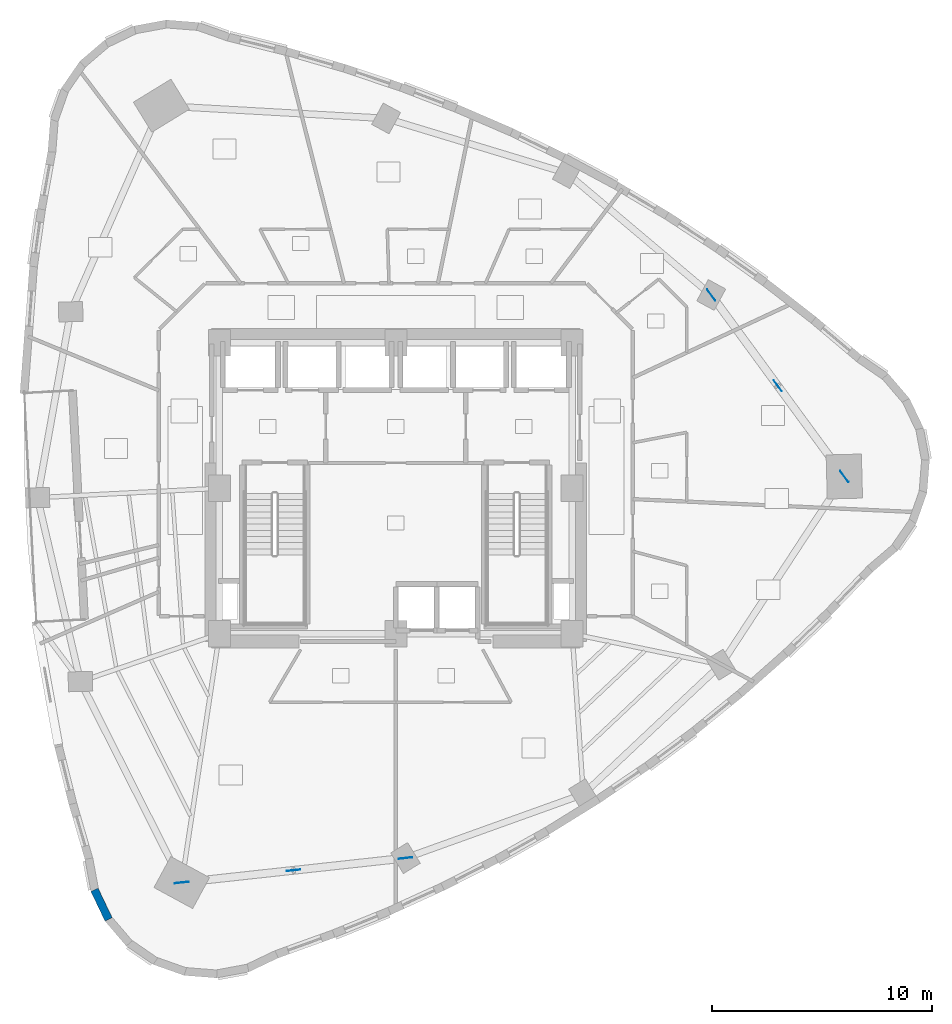
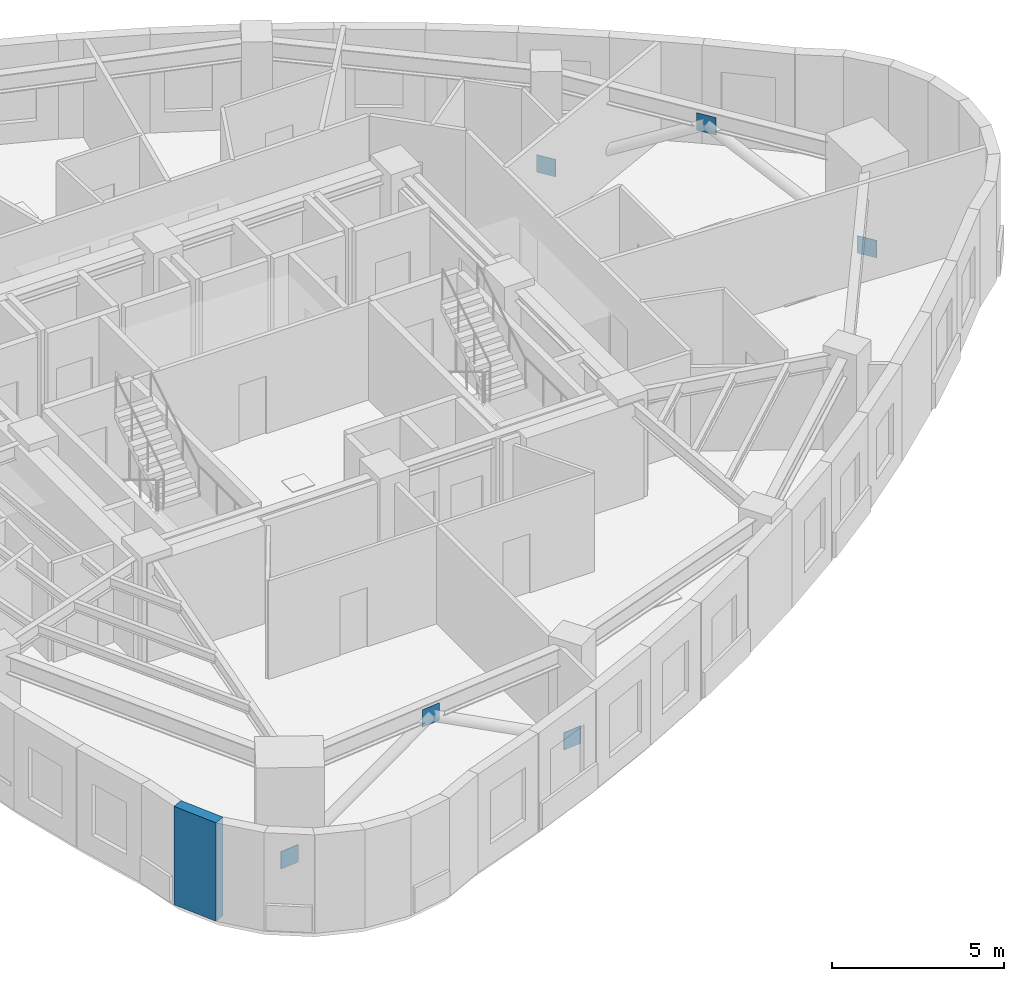
# One storey, part 5 of 13: 6 plates, 1 wall.
"""IFC4 building model written with IfcOpenShell, lengths in metres."""

from ifc_helpers import new_model, si_unit, direction, frame, frame_2d, origin, origin_2d, place, context, subcontext, project, spatial, rectangle, extrude, material, layer, layer_set, type_object, element, save


model = new_model("IFC4")

# Units and contexts
model_context = context("Model", 3, precision=1e-05, world=origin(), true_north=direction((0.0, 1.0)))
body_context = subcontext(model_context, "Body", "Model", "MODEL_VIEW")
ifc_project = project(units=[si_unit("LENGTHUNIT", "METRE"), si_unit("AREAUNIT", "SQUARE_METRE"), si_unit("VOLUMEUNIT", "CUBIC_METRE"), si_unit("PLANEANGLEUNIT", "RADIAN"), si_unit("MASSUNIT", "GRAM", prefix="KILO")], contexts=[model_context])

# Site, building, storey
site_placement = place(None, origin())
site = spatial("IfcSite", under=ifc_project, at=site_placement, CompositionType="ELEMENT")
building_placement = place(site_placement, origin())
building = spatial("IfcBuilding", under=site, at=building_placement, Name="Ndelora Gate Hotel", CompositionType="ELEMENT")
storey_placement = place(building_placement, frame((0.0, 0.0, 134.75)))
storey = spatial("IfcBuildingStorey", under=building, at=storey_placement, Name="L33", CompositionType="ELEMENT", Elevation=134.75)

# Plates
ifc_material_1 = material(Name="Steel S355", Category="steel")
ifc_layer_1 = layer(ifc_material_1, 0.02001953125)
ifc_layer_set_1 = layer_set([ifc_layer_1], Name="Steel S355")
plate_type = type_object("IfcPlateType", Name="PL-NODE-VN1", PredefinedType="USERDEFINED", material=ifc_layer_set_1)
for number, where, z_axis, x_axis, name in (
    (1, (-9.71044921875, -17.884521484375, -0.2900390625), (0.0, 0.0, 1.0), (0.994075323936, 0.108693377634, 0.0), "Node gusset cap plate VN1"),
    (2, (0.439208984375, -16.7744140625, -0.2900390625), (0.0, 0.0, 1.0), (0.994075323936, 0.108693377634, 0.0), "Node gusset cap plate VN1"),
    (3, (-4.6357421875, -17.32958984375, 2.639892578125), (0.0, 0.0, 1.0), (0.994075323936, 0.108693377634, 0.0), "Node gusset cap plate VN1"),
    (4, (20.34375, 0.53271484375, -0.2900390625), (0.0, 0.0, 1.0), (-0.591168888222, 0.806547794987, 0.0), "Node gusset cap plate VN1"),
    (5, (14.30712890625, 8.767333984375, -0.2900390625), (0.0, 0.0, 1.0), (-0.591168888222, 0.806547794987, 0.0), "Node gusset cap plate VN1"),
    (6, (17.325439453125, 4.650146484375, 2.639892578125), (0.0, 0.0, 1.0), (-0.591168888222, 0.806547794987, 0.0), "Node gusset cap plate VN1"),
):
    element("IfcPlate", number, at=place(storey_placement, frame(where, z_axis=z_axis, x_axis=x_axis)), inside=storey, type_object=plate_type, Name=name, ObjectType="GUSSET_PLATE", PredefinedType="USERDEFINED", context=body_context, shape_type="SweptSolid", body=[
        extrude(rectangle(XDim=0.6201171875, YDim=0.02001953125, at=origin_2d()), origin(), (0.0, 0.0, 1.0), 0.6201171875),
    ])

# Wall
ifc_material_2 = material(Name="Clay Brick Masonry", Category="masonry")
ifc_layer_2 = layer(ifc_material_2, 0.360107421875)
ifc_layer_set_2 = layer_set([ifc_layer_2], Name="Clay Brick Masonry")
wall_type = type_object("IfcWallType", Name="WL-BRICK-360", PredefinedType="SOLIDWALL", material=ifc_layer_set_2)
wall_placement = place(storey_placement, frame((-13.028076171875, -19.555419921875, 0.0), z_axis=(0.0, 0.0, 1.0), x_axis=(-0.430507535938, 0.902586982789, 0.0)))
element("IfcWall", 7, at=wall_placement, inside=storey, type_object=wall_type, Name="L33 Tower Brick Pier-and-Spandrel Wall TWR-20", PredefinedType="SOLIDWALL", context=body_context, shape_type="SweptSolid", body=[
    extrude(rectangle(XDim=1.48583984375, YDim=0.360107421875, at=frame_2d((0.742919921875, 0.0))), origin(), (0.0, 0.0, 1.0), 3.5),
])

save(model, "model.ifc")
